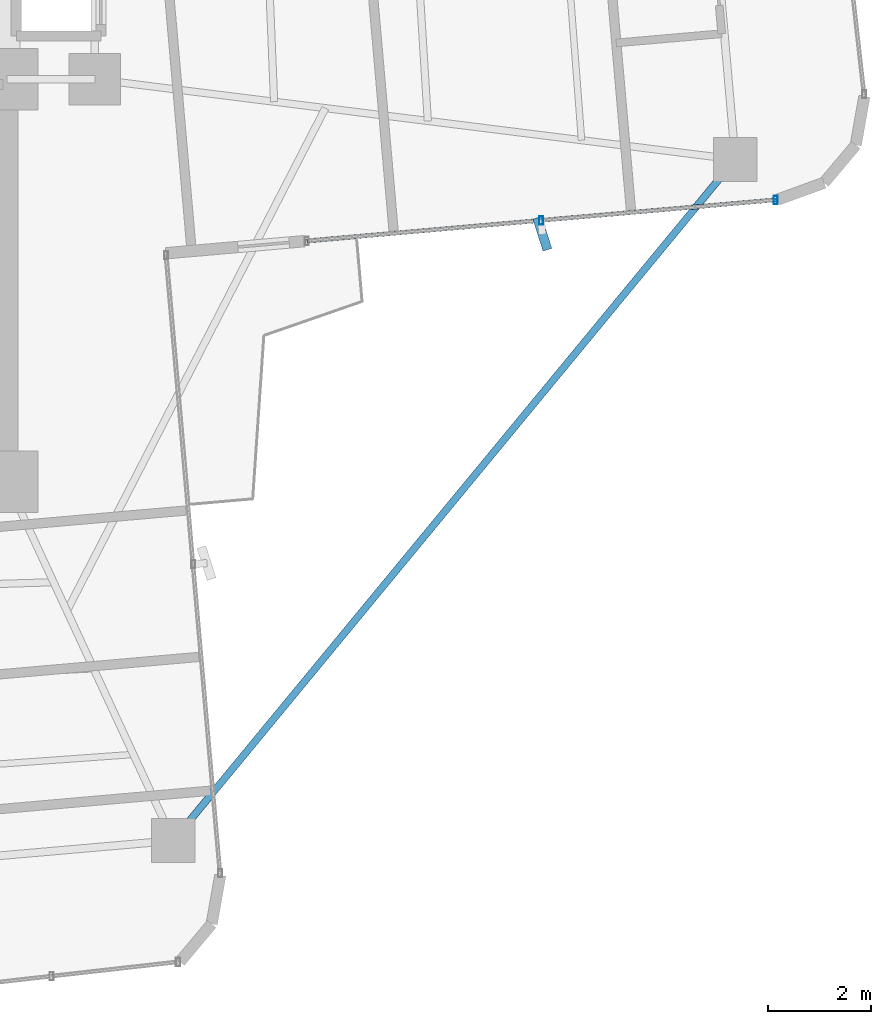
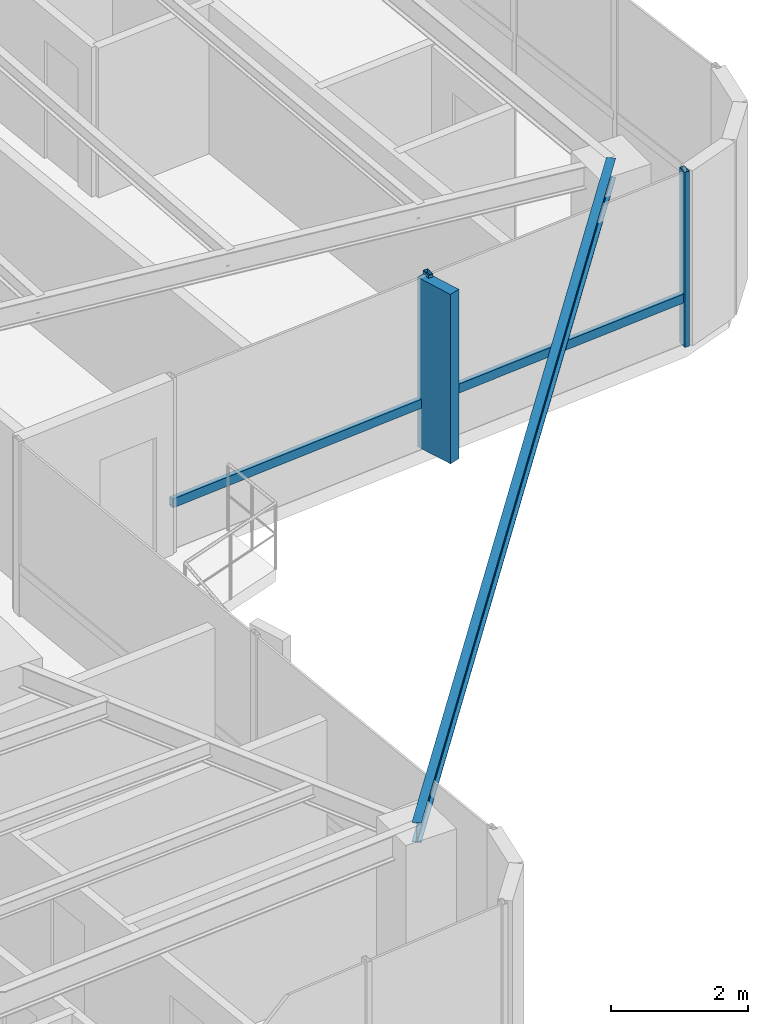
# One storey, part 13 of 24: 5 members, 1 beam, 1 element without a shape of its own.
"""IFC4 building model written with IfcOpenShell, lengths in metres."""

from ifc_helpers import new_model, si_unit, direction, frame, origin, origin_2d, place, context, subcontext, project, spatial, rectangle, hollow_rectangle, i_section, extrude, source, transform, mapped, material, material_profile, profile_set, type_object, element, aggregate, save


model = new_model("IFC4")

# Units and contexts
model_context = context("Model", 3, precision=1e-05, world=origin(), true_north=direction((0.0, 1.0)))
body_context = subcontext(model_context, "Body", "Model", "MODEL_VIEW")
ifc_project = project(units=[si_unit("LENGTHUNIT", "METRE"), si_unit("AREAUNIT", "SQUARE_METRE"), si_unit("VOLUMEUNIT", "CUBIC_METRE"), si_unit("PLANEANGLEUNIT", "RADIAN"), si_unit("MASSUNIT", "GRAM", prefix="KILO")], contexts=[model_context])

# Site, building, storey
site_placement = place(None, origin())
site = spatial("IfcSite", under=ifc_project, at=site_placement, CompositionType="ELEMENT")
building_placement = place(site_placement, origin())
building = spatial("IfcBuilding", under=site, at=building_placement, Name="Sahyath Konkavel Grand Hotel", CompositionType="ELEMENT")
storey_placement = place(building_placement, frame((0.0, 0.0, 150.60009765625)))
storey = spatial("IfcBuildingStorey", under=building, at=storey_placement, Name="L41", CompositionType="ELEMENT", Elevation=150.60009765625)

# Beam
ifc_material_1 = material(Name="Steel E350", Category="steel")
ifc_material_profile_1 = material_profile(ifc_material_1, i_section(OverallWidth=0.139892578125, OverallDepth=0.35009765625, WebThickness=0.008056640625, FlangeThickness=0.01416015625, FilletRadius=0.013916015625, at=origin_2d()), Name="ISMB 350")
ifc_profile_set_1 = profile_set([ifc_material_profile_1], Name="Steel E350")
beam_type = type_object("IfcBeamType", Name="BM-ISMB350", PredefinedType="BEAM", material=ifc_profile_set_1)
shared_shape_1 = source(origin(), body_context, "Body", "SweptSolid", [
    extrude(i_section(OverallWidth=0.139892578125, OverallDepth=0.35009765625, WebThickness=0.008056640625, FlangeThickness=0.01416015625, FilletRadius=0.013916015625, at=origin_2d()), origin(), (0.0, 0.0, 1.0), 17.112548828125),
])
beam_placement = place(storey_placement, frame((17.912841796875, -3.953857421875, 2.934814453125), z_axis=(-0.636437070092, -0.77132863023, 0.0), x_axis=(0.77132863023, -0.636437070092, 0.0)))
element("IfcBeam", 1, at=beam_placement, inside=storey, type_object=beam_type, Name="L41 Re-Entrant Tie Beam SE", PredefinedType="BEAM", context=body_context, shape_type="MappedRepresentation", body=[
    mapped(shared_shape_1, transform((0.0, 0.0, 0.0), scale=1.0)),
])

# Curtain wall, members
ifc_material_2 = material(Name="Anodised Bronze Aluminium & Low-E Glazing", Category="aluminium")
curtain_wall_type = type_object("IfcCurtainWallType", Name="CW-ZONE3", PredefinedType="NOTDEFINED", material=ifc_material_2)
curtain_wall_placement = place(storey_placement, origin())
curtain_wall = element("IfcCurtainWall", 2, at=curtain_wall_placement, inside=storey, type_object=curtain_wall_type, Name="L41 Unitised Curtain Wall F0", PredefinedType="NOTDEFINED")
ifc_material_3 = material(Name="Anodised Bronze Aluminium", Category="aluminium")
ifc_material_profile_2 = material_profile(ifc_material_3, hollow_rectangle(XDim=0.080078125, YDim=0.159912109375, WallThickness=0.006103515625, at=origin_2d()), Name="RHS 160x80x6")
ifc_profile_set_2 = profile_set([ifc_material_profile_2], Name="Anodised Bronze Aluminium")
member_type_1 = type_object("IfcMemberType", Name="CW-MUL-160", PredefinedType="MULLION", material=ifc_profile_set_2)
shared_shape_2 = source(origin(), body_context, "Body", "SweptSolid", [
    extrude(hollow_rectangle(XDim=0.080078125, YDim=0.159912109375, WallThickness=0.006103515625, at=origin_2d()), origin(), (0.0, 0.0, 1.0), 3.10986328125),
])
member_1_placement = place(storey_placement, frame((14.151611328125, -5.135986328125, 0.0), z_axis=(0.0, 0.0, 1.0), x_axis=(1.0, 0.0, 0.0)))
member_1 = element("IfcMember", 3, at=member_1_placement, type_object=member_type_1, Name="L41 Curtain Wall Mullion F0-1", PredefinedType="MULLION", context=body_context, shape_type="MappedRepresentation", body=[
    mapped(shared_shape_2, transform((0.0, 0.0, 0.0), scale=1.0)),
])
member_2_placement = place(storey_placement, frame((18.694091796875, -4.73876953125, 0.0), z_axis=(0.0, 0.0, 1.0), x_axis=(1.0, 0.0, 0.0)))
member_2 = element("IfcMember", 4, at=member_2_placement, type_object=member_type_1, Name="L41 Curtain Wall Mullion F0-2", PredefinedType="MULLION", context=body_context, shape_type="MappedRepresentation", body=[
    mapped(shared_shape_2, transform((0.0, 0.0, 0.0), scale=1.0)),
])
ifc_material_4 = material(Name="Warm Buff Sandstone Cladding on Concrete C50/60", Category="masonry")
ifc_material_profile_3 = material_profile(ifc_material_4, rectangle(XDim=0.179931640625, YDim=0.64990234375, at=origin_2d()), Name="FIN 180x650")
ifc_profile_set_3 = profile_set([ifc_material_profile_3], Name="Warm Buff Sandstone Cladding on Concrete C50/60")
member_type_2 = type_object("IfcMemberType", Name="FIN-SANDSTONE-650", PredefinedType="MULLION", material=ifc_profile_set_3)
shared_shape_3 = source(origin(), body_context, "Body", "SweptSolid", [
    extrude(rectangle(XDim=0.179931640625, YDim=0.64990234375, at=origin_2d()), origin(), (0.0, 0.0, 1.0), 3.010009765625),
])
member_3_placement = place(storey_placement, frame((14.17431640625, -5.39501953125, 0.0498046875), z_axis=(0.0, 0.0, 1.0), x_axis=(0.953348857629, 0.301870759858, 0.0)))
member_3 = element("IfcMember", 5, at=member_3_placement, type_object=member_type_2, Name="L41 Sandstone Vertical Solar Fin FIN F0-1", PredefinedType="MULLION", context=body_context, shape_type="MappedRepresentation", body=[
    mapped(shared_shape_3, transform((0.0, 0.0, 0.0), scale=1.0)),
])
ifc_material_profile_4 = material_profile(ifc_material_3, hollow_rectangle(XDim=0.080078125, YDim=0.159912109375, WallThickness=0.006103515625, at=origin_2d()), Name="RHS 160x80x6")
ifc_profile_set_4 = profile_set([ifc_material_profile_4], Name="Anodised Bronze Aluminium")
member_type_3 = type_object("IfcMemberType", Name="CW-TRN-160", PredefinedType="USERDEFINED", material=ifc_profile_set_4)
shared_shape_4 = source(origin(), body_context, "Body", "SweptSolid", [
    extrude(hollow_rectangle(XDim=0.080078125, YDim=0.159912109375, WallThickness=0.006103515625, at=origin_2d()), origin(), (0.0, 0.0, 1.0), 4.56005859375),
])
member_4_placement = place(storey_placement, frame((9.60888671875, -5.53369140625, 0.849853515625), z_axis=(0.996189590376, 0.087214104516, 0.0), x_axis=(-0.087214104516, 0.996189590376, 0.0)))
member_4 = element("IfcMember", 6, at=member_4_placement, type_object=member_type_3, Name="L41 Curtain Wall Transom F0-0-spandrel", ObjectType="TRANSOM", PredefinedType="USERDEFINED", context=body_context, shape_type="MappedRepresentation", body=[
    mapped(shared_shape_4, transform((0.0, 0.0, 0.0), scale=1.0)),
])
shared_shape_5 = source(origin(), body_context, "Body", "SweptSolid", [
    extrude(hollow_rectangle(XDim=0.080078125, YDim=0.159912109375, WallThickness=0.006103515625, at=origin_2d()), origin(), (0.0, 0.0, 1.0), 4.559814453125),
])
member_5_placement = place(storey_placement, frame((14.151611328125, -5.135986328125, 0.849853515625), z_axis=(0.99619848155, 0.087112486804, 0.0), x_axis=(-0.087112486804, 0.99619848155, 0.0)))
member_5 = element("IfcMember", 7, at=member_5_placement, type_object=member_type_3, Name="L41 Curtain Wall Transom F0-1-spandrel", ObjectType="TRANSOM", PredefinedType="USERDEFINED", context=body_context, shape_type="MappedRepresentation", body=[
    mapped(shared_shape_5, transform((0.0, 0.0, 0.0), scale=1.0)),
])
aggregate(curtain_wall, [member_1, member_3, member_2, member_4, member_5])

save(model, "model.ifc")
